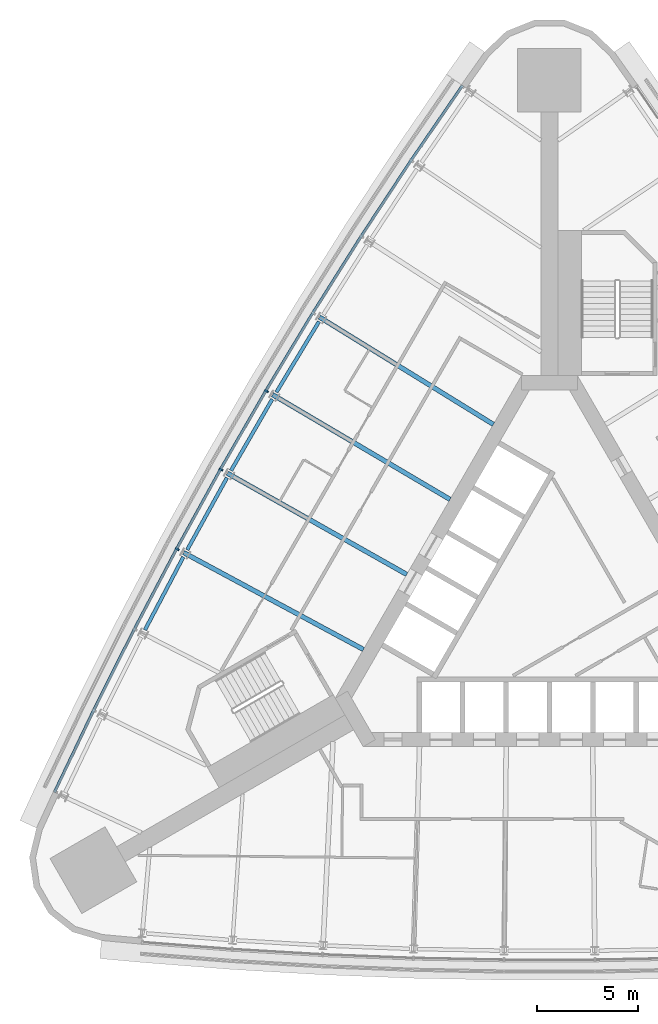
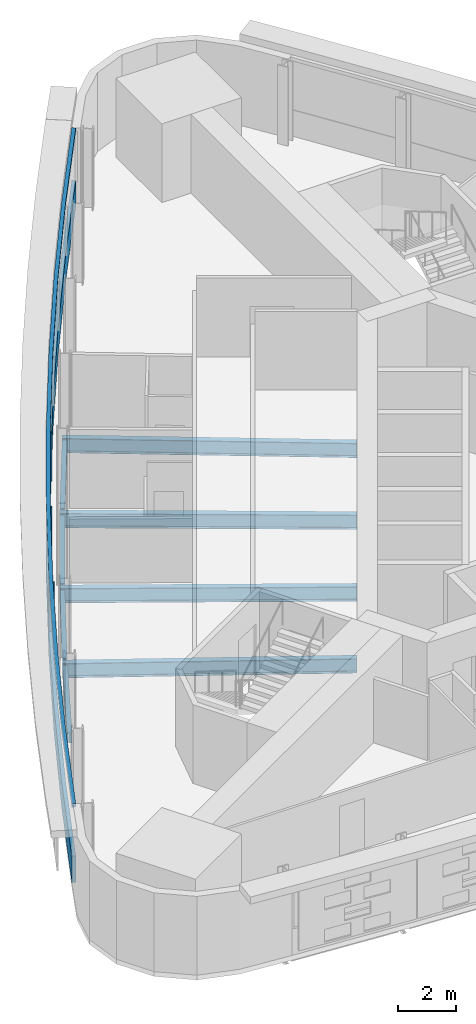
# One storey, part 4 of 13: 8 beams, 5 members, 1 element without a shape of its own.
"""IFC4 building model written with IfcOpenShell, lengths in metres."""

from ifc_helpers import new_model, si_unit, direction, frame, origin, origin_2d, place, context, subcontext, project, spatial, polyline, rectangle, i_section, outline, extrude, material, material_profile, profile_set, type_object, element, aggregate, save


model = new_model("IFC4")

# Units and contexts
model_context = context("Model", 3, precision=1e-05, world=origin(), true_north=direction((0.0, 1.0)))
body_context = subcontext(model_context, "Body", "Model", "MODEL_VIEW")
ifc_project = project(units=[si_unit("LENGTHUNIT", "METRE"), si_unit("AREAUNIT", "SQUARE_METRE"), si_unit("VOLUMEUNIT", "CUBIC_METRE"), si_unit("PLANEANGLEUNIT", "RADIAN"), si_unit("MASSUNIT", "GRAM", prefix="KILO")], contexts=[model_context])

# Site, building, storey
site_placement = place(None, origin())
site = spatial("IfcSite", under=ifc_project, at=site_placement, CompositionType="ELEMENT")
building_placement = place(site_placement, origin())
building = spatial("IfcBuilding", under=site, at=building_placement, Name="Noor Cloister Tower", CompositionType="ELEMENT")
storey_placement = place(building_placement, frame((0.0, 0.0, 83.39990234375)))
storey = spatial("IfcBuildingStorey", under=building, at=storey_placement, Name="L21", CompositionType="ELEMENT", Elevation=83.39990234375)

# Curtain wall, members
ifc_material_1 = material(Name="Aluminium 6063-T6 anodised", Category="aluminium")
curtain_wall_type = type_object("IfcCurtainWallType", Name="Ribbon curtain wall, lower tower CW1", PredefinedType="NOTDEFINED", material=ifc_material_1)
curtain_wall_placement = place(storey_placement, origin())
curtain_wall = element("IfcCurtainWall", 1, at=curtain_wall_placement, inside=storey, type_object=curtain_wall_type, Name="CW1 L21 NW run 1", PredefinedType="NOTDEFINED")
ifc_material_2 = material(Name="Aluminium 6063-T6 anodised", Category="aluminium")
member_type_1 = type_object("IfcMemberType", Name="Head transom CW1 150", PredefinedType="USERDEFINED", material=ifc_material_2)
member_1_placement = place(storey_placement, frame((0.0, 0.0, 3.150146484375)))
member_1 = element("IfcMember", 2, at=member_1_placement, type_object=member_type_1, Name="CW1 head transom", ObjectType="TRANSOM", PredefinedType="USERDEFINED", context=body_context, shape_type="SweptSolid", body=[
    extrude(outline(polyline([(-4.3642578125, 25.87255859375), (-6.910888671875, 22.162353515625), (-9.384521484375, 18.4033203125), (-11.78466796875, 14.596923828125), (-14.110107421875, 10.744384765625), (-16.360107421875, 6.847412109375), (-18.53369140625, 2.9072265625), (-20.630126953125, -1.074462890625), (-22.648681640625, -5.09619140625), (-24.58837890625, -9.15673828125), (-24.462158203125, -9.217041015625), (-22.52294921875, -5.157958984375), (-20.505615234375, -1.138427734375), (-18.410400390625, 2.8408203125), (-16.238037109375, 6.778564453125), (-13.989501953125, 10.67333984375), (-11.66552734375, 14.5234375), (-9.266845703125, 18.32763671875), (-6.794677734375, 22.084228515625), (-4.248779296875, 25.793212890625), (-4.3642578125, 25.87255859375)])), origin(), (0.0, 0.0, 1.0), 0.14990234375),
])
ifc_material_3 = material(Name="Aluminium 6063-T6 anodised", Category="aluminium")
ifc_material_profile_1 = material_profile(ifc_material_3, rectangle(XDim=0.199951171875, YDim=0.080078125, at=origin_2d()), Name="200 x 80 mullion")
ifc_profile_set_1 = profile_set([ifc_material_profile_1], Name="Aluminium 6063-T6 anodised")
member_type_2 = type_object("IfcMemberType", Name="Mullion CW1 80 x 200", PredefinedType="MULLION", material=ifc_profile_set_1)
member_2_placement = place(storey_placement, frame((-14.02392578125, 10.693603515625, 1.10009765625), z_axis=(0.0, 0.0, 1.0), x_axis=(0.86111440128, -0.508411238968, 0.0)))
member_2 = element("IfcMember", 3, at=member_2_placement, type_object=member_type_2, Name="CW1 mullion 5", PredefinedType="MULLION", context=body_context, shape_type="SweptSolid", body=[
    extrude(rectangle(XDim=0.199951171875, YDim=0.080078125, at=origin_2d()), origin(), (0.0, 0.0, 1.0), 2.050048828125),
])
member_3_placement = place(storey_placement, frame((-16.27294921875, 6.79833984375, 1.10009765625), z_axis=(0.0, 0.0, 1.0), x_axis=(0.870854249156, -0.491541327589, 0.0)))
member_3 = element("IfcMember", 4, at=member_3_placement, type_object=member_type_2, Name="CW1 mullion 6", PredefinedType="MULLION", context=body_context, shape_type="SweptSolid", body=[
    extrude(rectangle(XDim=0.199951171875, YDim=0.080078125, at=origin_2d()), origin(), (0.0, 0.0, 1.0), 2.050048828125),
])
member_4_placement = place(storey_placement, frame((-18.445556640625, 2.85986328125, 1.10009765625), z_axis=(0.0, 0.0, 1.0), x_axis=(0.880263635662, -0.474484912016, 0.0)))
member_4 = element("IfcMember", 5, at=member_4_placement, type_object=member_type_2, Name="CW1 mullion 7", PredefinedType="MULLION", context=body_context, shape_type="SweptSolid", body=[
    extrude(rectangle(XDim=0.199951171875, YDim=0.080078125, at=origin_2d()), origin(), (0.0, 0.0, 1.0), 2.050048828125),
])

# Beams
ifc_material_4 = material(Name="Steel ASTM A992 Gr 50", Category="steel")
ifc_material_profile_2 = material_profile(ifc_material_4, i_section(OverallWidth=0.22802734375, OverallDepth=0.60205078125, WebThickness=0.010498046875, FlangeThickness=0.014892578125, FilletRadius=0.0126953125, at=origin_2d()), Name="W610x101")
ifc_profile_set_2 = profile_set([ifc_material_profile_2], Name="Steel ASTM A992 Gr 50")
beam_type_1 = type_object("IfcBeamType", Name="Radial beam W610x101", PredefinedType="BEAM", material=ifc_profile_set_2)
beam_1_placement = place(storey_placement, frame((-11.399169921875, 14.359130859375, -0.5009765625), z_axis=(0.851050223373, -0.52508429542, 0.0), x_axis=(0.52508429542, 0.851050223373, 0.0)))
element("IfcBeam", 6, at=beam_1_placement, inside=storey, type_object=beam_type_1, Name="Radial beam NW 04 L21", PredefinedType="BEAM", context=body_context, shape_type="SweptSolid", body=[
    extrude(i_section(OverallWidth=0.22802734375, OverallDepth=0.60205078125, WebThickness=0.010498046875, FlangeThickness=0.014892578125, FilletRadius=0.0126953125, at=origin_2d()), origin(), (0.0, 0.0, 1.0), 10.127685546875),
])
beam_2_placement = place(storey_placement, frame((-13.719970703125, 10.51416015625, -0.5009765625), z_axis=(0.861116863464, -0.508407068655, 0.0), x_axis=(0.508407068655, 0.861116863464, 0.0)))
element("IfcBeam", 7, at=beam_2_placement, inside=storey, type_object=beam_type_1, Name="Radial beam NW 05 L21", PredefinedType="BEAM", context=body_context, shape_type="SweptSolid", body=[
    extrude(i_section(OverallWidth=0.22802734375, OverallDepth=0.60205078125, WebThickness=0.010498046875, FlangeThickness=0.014892578125, FilletRadius=0.0126953125, at=origin_2d()), origin(), (0.0, 0.0, 1.0), 10.211181640625),
])
beam_3_placement = place(storey_placement, frame((-15.965576171875, 6.624755859375, -0.5009765625), z_axis=(0.870854352665, -0.491541144203, 0.0), x_axis=(0.491541144203, 0.870854352665, 0.0)))
element("IfcBeam", 8, at=beam_3_placement, inside=storey, type_object=beam_type_1, Name="Radial beam NW 06 L21", PredefinedType="BEAM", context=body_context, shape_type="SweptSolid", body=[
    extrude(i_section(OverallWidth=0.22802734375, OverallDepth=0.60205078125, WebThickness=0.010498046875, FlangeThickness=0.014892578125, FilletRadius=0.0126953125, at=origin_2d()), origin(), (0.0, 0.0, 1.0), 10.21142578125),
])
beam_4_placement = place(storey_placement, frame((-18.134765625, 2.6923828125, -0.5009765625), z_axis=(0.880258916422, -0.474493667039, 0.0), x_axis=(0.474493667039, 0.880258916422, 0.0)))
element("IfcBeam", 9, at=beam_4_placement, inside=storey, type_object=beam_type_1, Name="Radial beam NW 07 L21", PredefinedType="BEAM", context=body_context, shape_type="SweptSolid", body=[
    extrude(i_section(OverallWidth=0.22802734375, OverallDepth=0.60205078125, WebThickness=0.010498046875, FlangeThickness=0.014892578125, FilletRadius=0.0126953125, at=origin_2d()), origin(), (0.0, 0.0, 1.0), 10.12744140625),
])

# Member
ifc_material_5 = material(Name="Aluminium 6063-T6 anodised", Category="aluminium")
member_type_3 = type_object("IfcMemberType", Name="Sill transom CW1 1100", PredefinedType="USERDEFINED", material=ifc_material_5)
member_5_placement = place(storey_placement, origin())
member_5 = element("IfcMember", 10, at=member_5_placement, type_object=member_type_3, Name="CW1 sill transom", ObjectType="TRANSOM", PredefinedType="USERDEFINED", context=body_context, shape_type="SweptSolid", body=[
    extrude(outline(polyline([(-4.3642578125, 25.87255859375), (-6.910888671875, 22.162353515625), (-9.384521484375, 18.4033203125), (-11.78466796875, 14.596923828125), (-14.110107421875, 10.744384765625), (-16.360107421875, 6.847412109375), (-18.53369140625, 2.9072265625), (-20.630126953125, -1.074462890625), (-22.648681640625, -5.09619140625), (-24.58837890625, -9.15673828125), (-24.462158203125, -9.217041015625), (-22.52294921875, -5.157958984375), (-20.505615234375, -1.138427734375), (-18.410400390625, 2.8408203125), (-16.238037109375, 6.778564453125), (-13.989501953125, 10.67333984375), (-11.66552734375, 14.5234375), (-9.266845703125, 18.32763671875), (-6.794677734375, 22.084228515625), (-4.248779296875, 25.793212890625), (-4.3642578125, 25.87255859375)])), origin(), (0.0, 0.0, 1.0), 1.10009765625),
])

aggregate(curtain_wall, [member_2, member_3, member_4, member_5, member_1])

# Beams
ifc_material_6 = material(Name="Steel ASTM A992 Gr 50", Category="steel")
ifc_material_profile_3 = material_profile(ifc_material_6, i_section(OverallWidth=0.177978515625, OverallDepth=0.406005859375, WebThickness=0.0078125, FlangeThickness=0.0126953125, FilletRadius=0.01025390625, at=origin_2d()), Name="W410x60")
ifc_profile_set_3 = profile_set([ifc_material_profile_3], Name="Steel ASTM A992 Gr 50")
beam_type_2 = type_object("IfcBeamType", Name="Spandrel beam W410x60", PredefinedType="SPANDREL", material=ifc_profile_set_3)
for number, where, z_axis, x_axis, name in (
    (11, (-11.4208984375, 14.13525390625, -0.40283203125), (-0.516752581522, -0.856134784652, 0.0), (0.856134784652, -0.516752581522, 0.0), "Spandrel beam NW 04 L21"),
    (12, (-13.7373046875, 10.289794921875, -0.40283203125), (-0.500027665724, -0.866009430382, 0.0), (0.866009430382, -0.500027665724, 0.0), "Spandrel beam NW 05 L21"),
    (13, (-15.978515625, 6.400146484375, -0.40283203125), (-0.483063123974, -0.875585528807, 0.0), (0.875585528807, -0.483063123974, 0.0), "Spandrel beam NW 06 L21"),
    (14, (-18.1435546875, 2.467529296875, -0.40283203125), (-0.465904062136, -0.884835241661, 0.0), (0.884835241661, -0.465904062136, 0.0), "Spandrel beam NW 07 L21"),
):
    element("IfcBeam", number, at=place(storey_placement, frame(where, z_axis=z_axis, x_axis=x_axis)), inside=storey, type_object=beam_type_2, Name=name, PredefinedType="SPANDREL", context=body_context, shape_type="SweptSolid", body=[
        extrude(i_section(OverallWidth=0.177978515625, OverallDepth=0.406005859375, WebThickness=0.0078125, FlangeThickness=0.0126953125, FilletRadius=0.01025390625, at=origin_2d()), origin(), (0.0, 0.0, 1.0), 4.085205078125),
    ])

save(model, "model.ifc")
